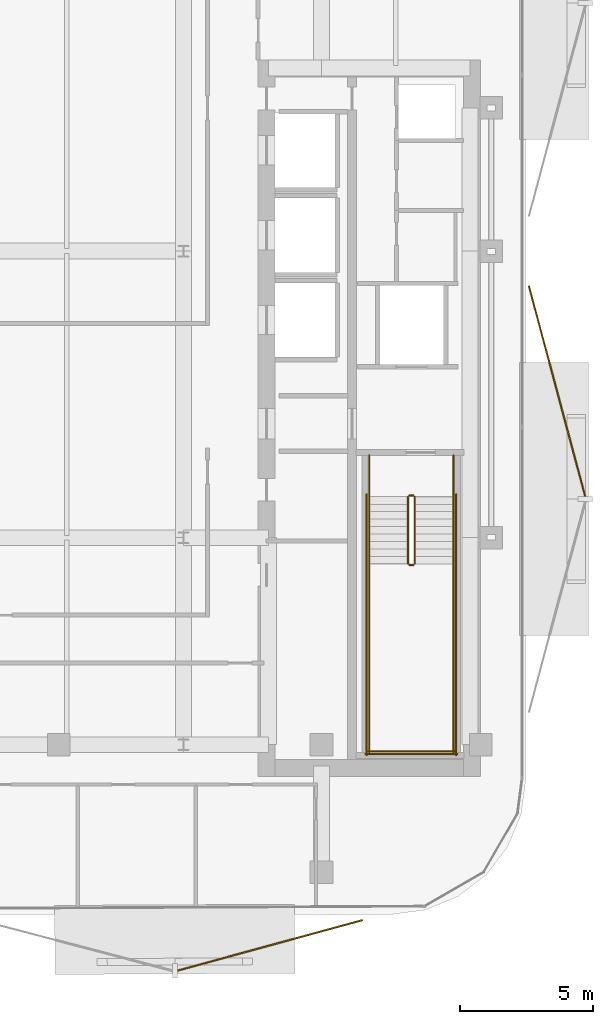
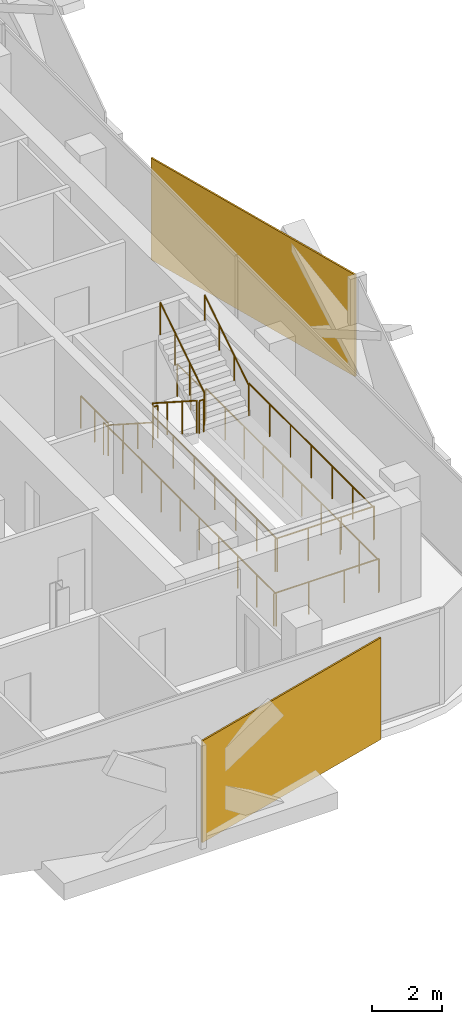
# One storey, part 14 of 15: 14 railings, 2 coverings.
"""IFC4 building model written with IfcOpenShell, lengths in metres."""

from ifc_helpers import new_model, si_unit, direction, frame, origin, origin_2d, place, context, subcontext, project, spatial, rectangle, circle, extrude, material, layer, layer_set, type_object, element, save


model = new_model("IFC4")

# Units and contexts
model_context = context("Model", 3, precision=1e-05, world=origin(), true_north=direction((0.0, 1.0)))
body_context = subcontext(model_context, "Body", "Model", "MODEL_VIEW")
ifc_project = project(units=[si_unit("LENGTHUNIT", "METRE"), si_unit("AREAUNIT", "SQUARE_METRE"), si_unit("VOLUMEUNIT", "CUBIC_METRE"), si_unit("PLANEANGLEUNIT", "RADIAN"), si_unit("MASSUNIT", "GRAM", prefix="KILO")], contexts=[model_context])

# Site, building, storey
site_placement = place(None, origin())
site = spatial("IfcSite", under=ifc_project, at=site_placement, CompositionType="ELEMENT")
building_placement = place(site_placement, origin())
building = spatial("IfcBuilding", under=site, at=building_placement, Name="Khairoan Windgate Tower", CompositionType="ELEMENT")
storey_placement = place(building_placement, frame((0.0, 0.0, 226.0)))
storey = spatial("IfcBuildingStorey", under=building, at=storey_placement, Name="L52", CompositionType="ELEMENT", Elevation=226.0)

# Coverings
ifc_material_1 = material(Name="Anodised Bronze Aluminium 6063-T6", Category="aluminium")
ifc_layer = layer(ifc_material_1, 0.054931640625, Name="Anodised Bronze Aluminium 6063-T6")
ifc_layer_set = layer_set([ifc_layer], Name="Anodised Bronze Aluminium 6063-T6")
covering_type = type_object("IfcCoveringType", Name="Perforated Bronze-Ceramic Folded Solar Screen Cladding BSC-1", PredefinedType="CLADDING", material=ifc_layer_set)
covering_1_placement = place(storey_placement, frame((12.45458984375, -26.162109375, -0.10009765625), z_axis=(0.0, 0.0, 1.0), x_axis=(-0.964649468762, -0.263536339841, 0.0)))
element("IfcCovering", 1, at=covering_1_placement, inside=storey, type_object=covering_type, Name="L52 Folded Bronze Solar Screen Facet 345L", PredefinedType="CLADDING", context=body_context, shape_type="SweptSolid", body=[
    extrude(rectangle(XDim=7.23193359375, YDim=0.054931640625, at=origin_2d()), origin(), (0.0, 0.0, 1.0), 3.5400390625),
])
covering_2_placement = place(storey_placement, frame((23.275634765625, -5.283447265625, -0.10009765625), z_axis=(0.0, 0.0, 1.0), x_axis=(0.258819045103, -0.965925826289, 0.0)))
element("IfcCovering", 2, at=covering_2_placement, inside=storey, type_object=covering_type, Name="L52 Folded Bronze Solar Screen Facet 352L", PredefinedType="CLADDING", context=body_context, shape_type="SweptSolid", body=[
    extrude(rectangle(XDim=8.22412109375, YDim=0.054931640625, at=origin_2d()), origin(), (0.0, 0.0, 1.0), 3.5400390625),
])

# Railings
ifc_material_2 = material(Name="Anodised Bronze Aluminium 6063-T6", Category="aluminium")
railing_type_1 = type_object("IfcRailingType", Name="Stair Wall Handrail SHR-900", PredefinedType="HANDRAIL", material=ifc_material_2)
railing_1_placement = place(storey_placement, frame((16.199951171875, -9.260009765625, 0.179931640625)))
element("IfcRailing", 3, at=railing_1_placement, inside=storey, type_object=railing_type_1, Name="L52 ST1 stair handrail 1", PredefinedType="HANDRAIL", context=body_context, shape_type="SweptSolid", body=[
    extrude(circle(Radius=0.02392578125, at=origin_2d()), frame((0.0, 0.0, 0.8759765625), z_axis=(0.0, -0.841162588446, 0.540782303519), x_axis=(1.0, 0.0, 0.0)), (0.0, 0.0, 1.0), 2.995849609375),
    extrude(circle(Radius=0.02099609375, at=origin_2d()), origin(), (0.0, 0.0, 1.0), 0.851806640625),
    extrude(circle(Radius=0.02099609375, at=origin_2d()), frame((0.0, -0.840087890625, 0.5400390625)), (0.0, 0.0, 1.0), 0.851806640625),
    extrude(circle(Radius=0.02099609375, at=origin_2d()), frame((0.0, -1.679931640625, 1.080078125)), (0.0, 0.0, 1.0), 0.851806640625),
    extrude(circle(Radius=0.02099609375, at=origin_2d()), frame((0.0, -2.52001953125, 1.6201171875)), (0.0, 0.0, 1.0), 0.851806640625),
])
railing_2_placement = place(storey_placement, frame((19.3701171875, -11.780029296875, 1.97998046875)))
element("IfcRailing", 4, at=railing_2_placement, inside=storey, type_object=railing_type_1, Name="L52 ST1 stair handrail 2", PredefinedType="HANDRAIL", context=body_context, shape_type="SweptSolid", body=[
    extrude(circle(Radius=0.02392578125, at=origin_2d()), frame((0.0, 0.0, 0.8759765625), z_axis=(0.0, 0.841162588446, 0.540782303519), x_axis=(-1.0, 0.0, 0.0)), (0.0, 0.0, 1.0), 2.995849609375),
    extrude(circle(Radius=0.02099609375, at=origin_2d()), origin(), (0.0, 0.0, 1.0), 0.851806640625),
    extrude(circle(Radius=0.02099609375, at=origin_2d()), frame((0.0, 0.840087890625, 0.5400390625)), (0.0, 0.0, 1.0), 0.851806640625),
    extrude(circle(Radius=0.02099609375, at=origin_2d()), frame((0.0, 1.679931640625, 1.080078125)), (0.0, 0.0, 1.0), 0.851806640625),
    extrude(circle(Radius=0.02099609375, at=origin_2d()), frame((0.0, 2.52001953125, 1.6201171875)), (0.0, 0.0, 1.0), 0.851806640625),
])
ifc_material_3 = material(Name="Steel S355", Category="steel")
railing_type_2 = type_object("IfcRailingType", Name="Stairwell Safety Guardrail SGR-1150", PredefinedType="GUARDRAIL", material=ifc_material_3)
railing_3_placement = place(storey_placement, frame((17.659912109375, -9.260009765625, 0.179931640625)))
element("IfcRailing", 5, at=railing_3_placement, inside=storey, type_object=railing_type_2, Name="L52 ST1 stair guard 1", PredefinedType="GUARDRAIL", context=body_context, shape_type="SweptSolid", body=[
    extrude(circle(Radius=0.02392578125, at=origin_2d()), frame((0.0, 0.0, 1.1259765625), z_axis=(0.0, -0.841162588446, 0.540782303519), x_axis=(1.0, 0.0, 0.0)), (0.0, 0.0, 1.0), 2.995849609375),
    extrude(circle(Radius=0.02099609375, at=origin_2d()), origin(), (0.0, 0.0, 1.0), 1.101806640625),
    extrude(circle(Radius=0.02099609375, at=origin_2d()), frame((0.0, -0.840087890625, 0.5400390625)), (0.0, 0.0, 1.0), 1.101806640625),
    extrude(circle(Radius=0.02099609375, at=origin_2d()), frame((0.0, -1.679931640625, 1.080078125)), (0.0, 0.0, 1.0), 1.101806640625),
    extrude(circle(Radius=0.02099609375, at=origin_2d()), frame((0.0, -2.52001953125, 1.6201171875)), (0.0, 0.0, 1.0), 1.101806640625),
])
railing_4_placement = place(storey_placement, frame((17.7099609375, -11.830078125, 1.800048828125)))
element("IfcRailing", 6, at=railing_4_placement, inside=storey, type_object=railing_type_2, Name="L52 ST1 stair guard 2", PredefinedType="GUARDRAIL", context=body_context, shape_type="SweptSolid", body=[
    extrude(circle(Radius=0.02392578125, at=origin_2d()), frame((0.0, 0.0, 1.1259765625), z_axis=(1.0, 0.0, 0.0), x_axis=(0.0, 1.0, 0.0)), (0.0, 0.0, 1.0), 0.150146484375),
    extrude(circle(Radius=0.02099609375, at=origin_2d()), origin(), (0.0, 0.0, 1.0), 1.101806640625),
    extrude(circle(Radius=0.02099609375, at=origin_2d()), frame((0.150146484375, 0.0, 0.0)), (0.0, 0.0, 1.0), 1.101806640625),
])
for number, where, name in (
    (7, (16.199951171875, -11.780029296875, 1.800048828125), "L52 ST1 stair guard 3"),
    (8, (19.3701171875, -11.780029296875, 1.800048828125), "L52 ST1 stair guard 4"),
):
    element("IfcRailing", number, at=place(storey_placement, frame(where)), inside=storey, type_object=railing_type_2, Name=name, PredefinedType="GUARDRAIL", context=body_context, shape_type="SweptSolid", body=[
        extrude(circle(Radius=0.02392578125, at=origin_2d()), frame((0.0, 0.0, 1.1259765625), z_axis=(0.0, -1.0, 0.0), x_axis=(1.0, 0.0, 0.0)), (0.0, 0.0, 1.0), 7.119873046875),
        extrude(circle(Radius=0.02099609375, at=origin_2d()), origin(), (0.0, 0.0, 1.0), 1.101806640625),
        extrude(circle(Radius=0.02099609375, at=origin_2d()), frame((0.0, -1.1865234375, 0.0)), (0.0, 0.0, 1.0), 1.101806640625),
        extrude(circle(Radius=0.02099609375, at=origin_2d()), frame((0.0, -2.373291015625, 0.0)), (0.0, 0.0, 1.0), 1.101806640625),
        extrude(circle(Radius=0.02099609375, at=origin_2d()), frame((0.0, -3.56005859375, 0.0)), (0.0, 0.0, 1.0), 1.101806640625),
        extrude(circle(Radius=0.02099609375, at=origin_2d()), frame((0.0, -4.74658203125, 0.0)), (0.0, 0.0, 1.0), 1.101806640625),
        extrude(circle(Radius=0.02099609375, at=origin_2d()), frame((0.0, -5.93310546875, 0.0)), (0.0, 0.0, 1.0), 1.101806640625),
        extrude(circle(Radius=0.02099609375, at=origin_2d()), frame((0.0, -7.119873046875, 0.0)), (0.0, 0.0, 1.0), 1.101806640625),
    ])
railing_5_placement = place(storey_placement, frame((16.14990234375, -18.85009765625, 1.800048828125)))
element("IfcRailing", 9, at=railing_5_placement, inside=storey, type_object=railing_type_2, Name="L52 ST1 stair guard 5", PredefinedType="GUARDRAIL", context=body_context, shape_type="SweptSolid", body=[
    extrude(circle(Radius=0.02392578125, at=origin_2d()), frame((0.0, 0.0, 1.1259765625), z_axis=(1.0, 0.0, 0.0), x_axis=(0.0, 1.0, 0.0)), (0.0, 0.0, 1.0), 3.27001953125),
    extrude(circle(Radius=0.02099609375, at=origin_2d()), origin(), (0.0, 0.0, 1.0), 1.101806640625),
    extrude(circle(Radius=0.02099609375, at=origin_2d()), frame((1.090087890625, 0.0, 0.0)), (0.0, 0.0, 1.0), 1.101806640625),
    extrude(circle(Radius=0.02099609375, at=origin_2d()), frame((2.179931640625, 0.0, 0.0)), (0.0, 0.0, 1.0), 1.101806640625),
    extrude(circle(Radius=0.02099609375, at=origin_2d()), frame((3.27001953125, 0.0, 0.0)), (0.0, 0.0, 1.0), 1.101806640625),
])
railing_6_placement = place(storey_placement, frame((17.909912109375, -11.780029296875, 1.97998046875)))
element("IfcRailing", 10, at=railing_6_placement, inside=storey, type_object=railing_type_2, Name="L52 ST1 stair guard 6", PredefinedType="GUARDRAIL", context=body_context, shape_type="SweptSolid", body=[
    extrude(circle(Radius=0.02392578125, at=origin_2d()), frame((0.0, 0.0, 1.1259765625), z_axis=(0.0, 0.841162588446, 0.540782303519), x_axis=(-1.0, 0.0, 0.0)), (0.0, 0.0, 1.0), 2.995849609375),
    extrude(circle(Radius=0.02099609375, at=origin_2d()), origin(), (0.0, 0.0, 1.0), 1.101806640625),
    extrude(circle(Radius=0.02099609375, at=origin_2d()), frame((0.0, 0.840087890625, 0.5400390625)), (0.0, 0.0, 1.0), 1.101806640625),
    extrude(circle(Radius=0.02099609375, at=origin_2d()), frame((0.0, 1.679931640625, 1.080078125)), (0.0, 0.0, 1.0), 1.101806640625),
    extrude(circle(Radius=0.02099609375, at=origin_2d()), frame((0.0, 2.52001953125, 1.6201171875)), (0.0, 0.0, 1.0), 1.101806640625),
])
railing_7_placement = place(storey_placement, frame((17.7099609375, -9.2099609375, 0.0)))
element("IfcRailing", 11, at=railing_7_placement, inside=storey, type_object=railing_type_2, Name="L52 ST1 stair guard 7", PredefinedType="GUARDRAIL", context=body_context, shape_type="SweptSolid", body=[
    extrude(circle(Radius=0.02392578125, at=origin_2d()), frame((0.0, 0.0, 1.1259765625), z_axis=(1.0, 0.0, 0.0), x_axis=(0.0, 1.0, 0.0)), (0.0, 0.0, 1.0), 0.150146484375),
    extrude(circle(Radius=0.02099609375, at=origin_2d()), origin(), (0.0, 0.0, 1.0), 1.101806640625),
    extrude(circle(Radius=0.02099609375, at=origin_2d()), frame((0.150146484375, 0.0, 0.0)), (0.0, 0.0, 1.0), 1.101806640625),
])
for number, where, name in (
    (12, (16.199951171875, -7.699951171875, 0.0), "L52 ST1 stair guard 8"),
    (13, (19.3701171875, -7.699951171875, 0.0), "L52 ST1 stair guard 9"),
):
    element("IfcRailing", number, at=place(storey_placement, frame(where)), inside=storey, type_object=railing_type_2, Name=name, PredefinedType="GUARDRAIL", context=body_context, shape_type="SweptSolid", body=[
        extrude(circle(Radius=0.02392578125, at=origin_2d()), frame((0.0, 0.0, 1.1259765625), z_axis=(0.0, -1.0, 0.0), x_axis=(1.0, 0.0, 0.0)), (0.0, 0.0, 1.0), 1.56005859375),
        extrude(circle(Radius=0.02099609375, at=origin_2d()), origin(), (0.0, 0.0, 1.0), 1.101806640625),
        extrude(circle(Radius=0.02099609375, at=origin_2d()), frame((0.0, -0.780029296875, 0.0)), (0.0, 0.0, 1.0), 1.101806640625),
        extrude(circle(Radius=0.02099609375, at=origin_2d()), frame((0.0, -1.56005859375, 0.0)), (0.0, 0.0, 1.0), 1.101806640625),
    ])
for number, where, name in (
    (14, (16.10009765625, -9.159912109375, 0.0), "L52 ST1 stair guard 10"),
    (15, (19.469970703125, -9.159912109375, 0.0), "L52 ST1 stair guard 11"),
):
    element("IfcRailing", number, at=place(storey_placement, frame(where)), inside=storey, type_object=railing_type_2, Name=name, PredefinedType="GUARDRAIL", context=body_context, shape_type="SweptSolid", body=[
        extrude(circle(Radius=0.02392578125, at=origin_2d()), frame((0.0, 0.0, 1.1259765625), z_axis=(0.0, -1.0, 0.0), x_axis=(1.0, 0.0, 0.0)), (0.0, 0.0, 1.0), 9.840087890625),
        extrude(circle(Radius=0.02099609375, at=origin_2d()), origin(), (0.0, 0.0, 1.0), 1.101806640625),
        extrude(circle(Radius=0.02099609375, at=origin_2d()), frame((0.0, -1.09326171875, 0.0)), (0.0, 0.0, 1.0), 1.101806640625),
        extrude(circle(Radius=0.02099609375, at=origin_2d()), frame((0.0, -2.186767578125, 0.0)), (0.0, 0.0, 1.0), 1.101806640625),
        extrude(circle(Radius=0.02099609375, at=origin_2d()), frame((0.0, -3.280029296875, 0.0)), (0.0, 0.0, 1.0), 1.101806640625),
        extrude(circle(Radius=0.02099609375, at=origin_2d()), frame((0.0, -4.373291015625, 0.0)), (0.0, 0.0, 1.0), 1.101806640625),
        extrude(circle(Radius=0.02099609375, at=origin_2d()), frame((0.0, -5.466796875, 0.0)), (0.0, 0.0, 1.0), 1.101806640625),
        extrude(circle(Radius=0.02099609375, at=origin_2d()), frame((0.0, -6.56005859375, 0.0)), (0.0, 0.0, 1.0), 1.101806640625),
        extrude(circle(Radius=0.02099609375, at=origin_2d()), frame((0.0, -7.6533203125, 0.0)), (0.0, 0.0, 1.0), 1.101806640625),
        extrude(circle(Radius=0.02099609375, at=origin_2d()), frame((0.0, -8.746826171875, 0.0)), (0.0, 0.0, 1.0), 1.101806640625),
        extrude(circle(Radius=0.02099609375, at=origin_2d()), frame((0.0, -9.840087890625, 0.0)), (0.0, 0.0, 1.0), 1.101806640625),
    ])
railing_8_placement = place(storey_placement, frame((16.050048828125, -18.949951171875, 0.0)))
element("IfcRailing", 16, at=railing_8_placement, inside=storey, type_object=railing_type_2, Name="L52 ST1 stair guard 12", PredefinedType="GUARDRAIL", context=body_context, shape_type="SweptSolid", body=[
    extrude(circle(Radius=0.02392578125, at=origin_2d()), frame((0.0, 0.0, 1.1259765625), z_axis=(1.0, 0.0, 0.0), x_axis=(0.0, 1.0, 0.0)), (0.0, 0.0, 1.0), 3.469970703125),
    extrude(circle(Radius=0.02099609375, at=origin_2d()), origin(), (0.0, 0.0, 1.0), 1.101806640625),
    extrude(circle(Radius=0.02099609375, at=origin_2d()), frame((1.15673828125, 0.0, 0.0)), (0.0, 0.0, 1.0), 1.101806640625),
    extrude(circle(Radius=0.02099609375, at=origin_2d()), frame((2.313232421875, 0.0, 0.0)), (0.0, 0.0, 1.0), 1.101806640625),
    extrude(circle(Radius=0.02099609375, at=origin_2d()), frame((3.469970703125, 0.0, 0.0)), (0.0, 0.0, 1.0), 1.101806640625),
])

save(model, "model.ifc")
